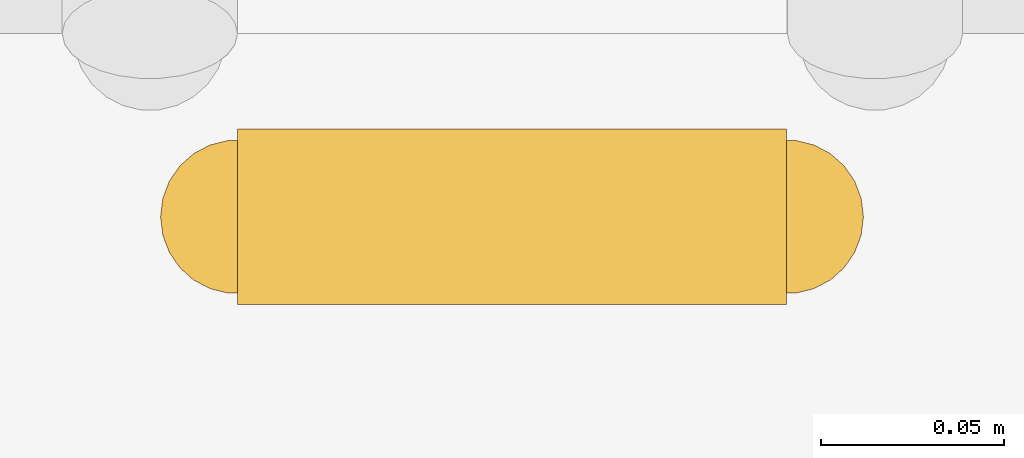
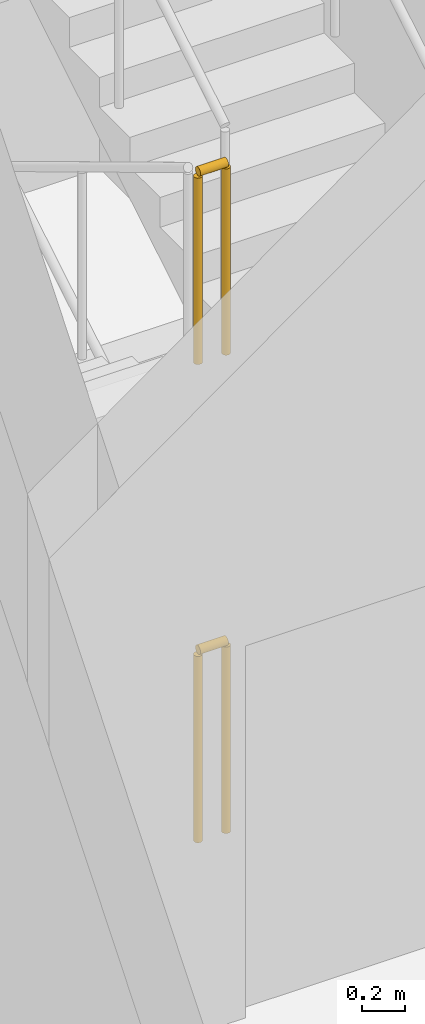
# One storey, part 84 of 101: 2 railings.
"""IFC4 building model written with IfcOpenShell, lengths in metres."""

from ifc_helpers import new_model, si_unit, direction, frame, origin, origin_2d, place, context, subcontext, project, spatial, circle, extrude, material, type_object, element, save


model = new_model("IFC4")

# Units and contexts
model_context = context("Model", 3, precision=1e-05, world=origin(), true_north=direction((0.0, 1.0)))
body_context = subcontext(model_context, "Body", "Model", "MODEL_VIEW")
ifc_project = project(units=[si_unit("LENGTHUNIT", "METRE"), si_unit("AREAUNIT", "SQUARE_METRE"), si_unit("VOLUMEUNIT", "CUBIC_METRE"), si_unit("PLANEANGLEUNIT", "RADIAN"), si_unit("MASSUNIT", "GRAM", prefix="KILO")], contexts=[model_context])

# Site, building, storey
site_placement = place(None, origin())
site = spatial("IfcSite", under=ifc_project, at=site_placement, CompositionType="ELEMENT")
building_placement = place(site_placement, origin())
building = spatial("IfcBuilding", under=site, at=building_placement, Name="Magnolia Steps Interchange", CompositionType="ELEMENT")
storey_placement = place(building_placement, frame((0.0, 0.0, -5.39990234375)))
storey = spatial("IfcBuildingStorey", under=building, at=storey_placement, Name="B1", CompositionType="ELEMENT", Elevation=-5.39990234375)

# Railings
ifc_material = material(Name="Stainless steel grade 304", Category="steel")
railing_type = type_object("IfcRailingType", Name="Stair guard 1100", PredefinedType="GUARDRAIL", material=ifc_material)
for number, where, name in (
    (1, (130.64990234375, 38.64990234375, 2.699951171875), "B1 ST21 stair guard 4"),
    (2, (130.64990234375, 38.64990234375, 0.0), "B1 ST21 stair guard 8"),
):
    element("IfcRailing", number, at=place(storey_placement, frame(where)), inside=storey, type_object=railing_type, Name=name, PredefinedType="GUARDRAIL", context=body_context, shape_type="SweptSolid", body=[
        extrude(circle(Radius=0.02392578125, at=origin_2d()), frame((0.0, 0.0, 1.076171875), z_axis=(-1.0, 0.0, 0.0), x_axis=(0.0, -1.0, 0.0)), (0.0, 0.0, 1.0), 0.14990234375),
        extrude(circle(Radius=0.02099609375, at=origin_2d()), origin(), (0.0, 0.0, 1.0), 1.052001953125),
        extrude(circle(Radius=0.02099609375, at=origin_2d()), frame((-0.14990234375, 0.0, 0.0)), (0.0, 0.0, 1.0), 1.052001953125),
    ])

save(model, "model.ifc")
